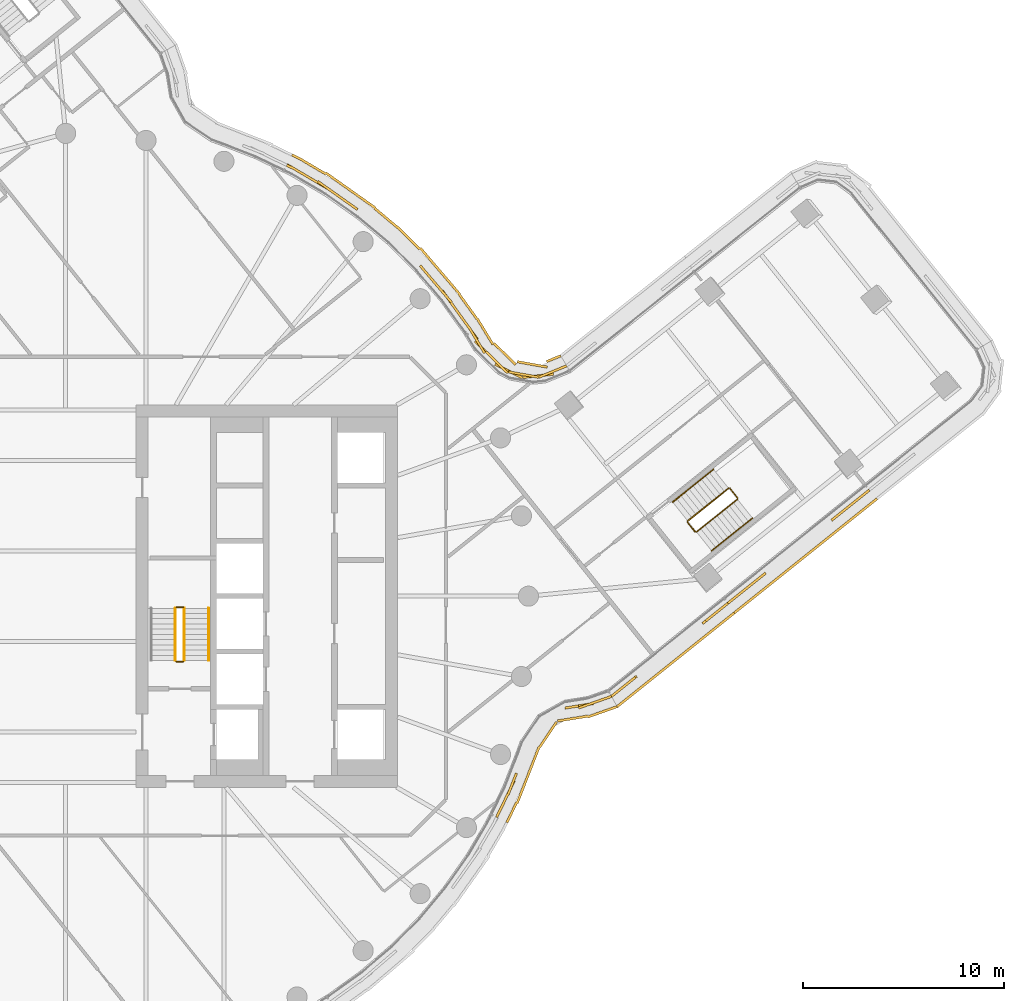
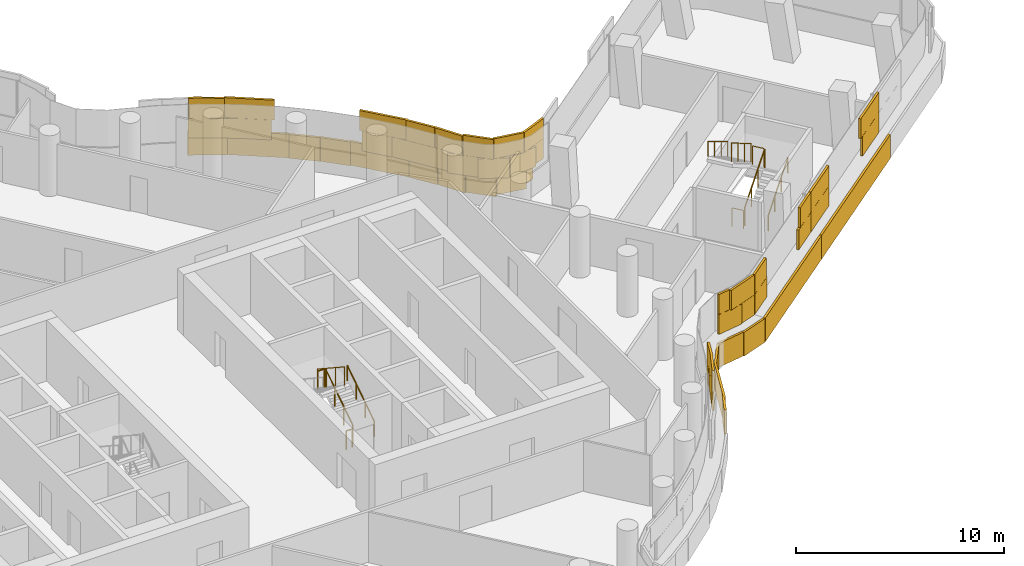
# One storey, part 29 of 31: 11 railings, 4 coverings.
"""IFC4 building model written with IfcOpenShell, lengths in metres."""

import ifcopenshell
import ifcopenshell.guid

model = None  # the IFC model being written
_history = None  # IfcOwnerHistory: only IFC2X3 demands one
_inside = {}  # id of a spatial element -> (the spatial element, [elements in it])
_under = {}  # id of a project, library or spatial element -> (it, [spatial elements below it])
_declared = {}  # id of a project -> (the project, [libraries it declares])
_typed = {}  # id of a type object -> (the type object, [elements of that type])
_made_of = {}  # id of a material, layer set ... -> (it, [elements and type objects made of it])


def new_model(schema):
    """Start an empty IFC model of exactly this schema.

    Asked for "IFC4X3", IfcOpenShell would pick the latest addendum, in which some entities
    have other attributes; the version numbers below select the first issue.
    IFC2X3 requires an IfcOwnerHistory on every rooted entity: one is made here for all.
    """
    global model, _history
    if schema == "IFC4X3":
        model = ifcopenshell.file(schema_version=(4, 3, 0, 0))
    else:
        model = ifcopenshell.file(schema=schema)
    _inside.clear()
    _under.clear()
    _declared.clear()
    _typed.clear()
    _made_of.clear()
    _history = None
    if model.schema == "IFC2X3":
        org = make("IfcOrganization", Name="unknown")
        user = make(
            "IfcPersonAndOrganization",
            ThePerson=make("IfcPerson", FamilyName="unknown"),
            TheOrganization=org,
        )
        app = make(
            "IfcApplication",
            ApplicationDeveloper=org,
            Version="unknown",
            ApplicationFullName="unknown",
            ApplicationIdentifier="unknown",
        )
        _history = make(
            "IfcOwnerHistory",
            OwningUser=user,
            OwningApplication=app,
            ChangeAction="ADDED",
            CreationDate=0,
        )
    return model


def make(cls, **values):
    """One entity of the class cls with the attributes given. An attribute that is None is left unset."""
    return model.create_entity(
        cls, **{name: value for name, value in values.items() if value is not None}
    )


def rooted(cls, **values):
    """An entity with a GlobalId (a new one), such as an element, a storey or a relation."""
    return make(cls, GlobalId=ifcopenshell.guid.new(), OwnerHistory=_history, **values)


def si_unit(unit_type, name, prefix=None):
    """IfcSIUnit, for example si_unit("LENGTHUNIT", "METRE", prefix="MILLI")."""
    return make("IfcSIUnit", UnitType=unit_type, Prefix=prefix, Name=name)


def assignment(units):
    """IfcUnitAssignment: the units of a project."""
    return None if units is None else make("IfcUnitAssignment", Units=units)


def point(xyz):
    """IfcCartesianPoint."""
    return None if xyz is None else make("IfcCartesianPoint", Coordinates=xyz)


def direction(xyz):
    """IfcDirection."""
    return None if xyz is None else make("IfcDirection", DirectionRatios=xyz)


def frame(location, z_axis=None, x_axis=None):
    """IfcAxis2Placement3D, a coordinate frame: its origin and axes. An axis left out is left unset."""
    return make(
        "IfcAxis2Placement3D",
        Location=point(location),
        Axis=direction(z_axis),
        RefDirection=direction(x_axis),
    )


def frame_2d(location, x_axis=None):
    """IfcAxis2Placement2D, a coordinate frame in the plane: its origin and x axis."""
    return make(
        "IfcAxis2Placement2D", Location=point(location), RefDirection=direction(x_axis)
    )


def origin():
    """The frame at (0, 0, 0) with its axes left unset."""
    return frame((0.0, 0.0, 0.0))


def origin_2d():
    """The frame at (0, 0) in the plane with its x axis left unset."""
    return frame_2d((0.0, 0.0))


def place(relative_to, where):
    """IfcLocalPlacement: puts the frame where relative to a parent placement (None: the world)."""
    return make(
        "IfcLocalPlacement", PlacementRelTo=relative_to, RelativePlacement=where
    )


def context(
    kind, dimensions, precision=None, world=None, true_north=None, identifier=None
):
    """IfcGeometricRepresentationContext, for example the 3D "Model" context."""
    return make(
        "IfcGeometricRepresentationContext",
        ContextIdentifier=identifier,
        ContextType=kind,
        CoordinateSpaceDimension=dimensions,
        Precision=precision,
        WorldCoordinateSystem=world,
        TrueNorth=true_north,
    )


def subcontext(parent, identifier, kind, view, scale=None):
    """IfcGeometricRepresentationSubContext, for example "Body" below "Model"."""
    return make(
        "IfcGeometricRepresentationSubContext",
        ContextIdentifier=identifier,
        ContextType=kind,
        ParentContext=parent,
        TargetScale=scale,
        TargetView=view,
    )


def project(units=None, contexts=None):
    """IfcProject with its units and contexts."""
    return rooted(
        "IfcProject",
        Name="project",
        RepresentationContexts=contexts,
        UnitsInContext=assignment(units),
    )


def spatial(cls, under=None, at=None, **own):
    """A site, building, storey or space (cls), placed at a placement, below another one or the project."""
    s = rooted(cls, ObjectPlacement=at, **own)
    if under is not None:
        _under.setdefault(under.id(), (under, []))[1].append(s)
    return s


def profile(cls, at=None, kind="AREA", **sizes):
    """A parametric profile (cls). Its sizes go by their IFC names, for example OverallWidth=200.0."""
    return make(cls, ProfileType=kind, Position=at, **sizes)


def rectangle(**sizes):
    """IfcRectangleProfileDef."""
    return profile("IfcRectangleProfileDef", **sizes)


def circle(**sizes):
    """IfcCircleProfileDef."""
    return profile("IfcCircleProfileDef", **sizes)


def extrude(swept, where, along, depth):
    """IfcExtrudedAreaSolid: the profile swept, set in the frame where, extruded along a direction by depth."""
    return make(
        "IfcExtrudedAreaSolid",
        SweptArea=swept,
        Position=where,
        ExtrudedDirection=direction(along),
        Depth=depth,
    )


def shape(context_of_items, identifier, shape_type, items):
    """IfcShapeRepresentation: the items that make up one representation, for example the "Body"."""
    return make(
        "IfcShapeRepresentation",
        ContextOfItems=context_of_items,
        RepresentationIdentifier=identifier,
        RepresentationType=shape_type,
        Items=items,
    )


def material(Name=None, Category=None):
    """IfcMaterial."""
    return make("IfcMaterial", Name=Name, Category=Category)


def layer(
    of_material, thickness, ventilated=None, Name=None, Category=None, Priority=None
):
    """IfcMaterialLayer: one layer of a wall or slab, of a material (None: an air gap)."""
    return make(
        "IfcMaterialLayer",
        Material=of_material,
        LayerThickness=thickness,
        IsVentilated=ventilated,
        Name=Name,
        Category=Category,
        Priority=Priority,
    )


def layer_set(layers, Name=None):
    """IfcMaterialLayerSet."""
    return make("IfcMaterialLayerSet", MaterialLayers=layers, LayerSetName=Name)


def made_of(thing, what):
    """Note that an element or type object is made of a material, layer set ...; save() writes the relation."""
    if what is not None:
        _made_of.setdefault(what.id(), (what, []))[1].append(thing)
    return thing


def type_object(cls, material=None, **own):
    """A type object (cls), such as IfcWallType, which elements share."""
    return made_of(rooted(cls, **own), material)


def element(
    cls,
    number,
    at=None,
    inside=None,
    cuts=None,
    type_object=None,
    material=None,
    context=None,
    identifier="Body",
    shape_type=None,
    held_by="IfcProductDefinitionShape",
    body=None,
    shapes=None,
    **own,
):
    """One element of the class cls, such as IfcWall. Its Tag is "e" and its number.

    at: its placement. inside: the storey or other place that contains it. cuts: it is an
    opening in that element (IfcRelVoidsElement). A single representation is given by context,
    identifier, shape_type and body (its items); several are given by shapes. held_by: the class
    of the entity that holds the representations. save() writes the other relations.
    """
    e = rooted(cls, Tag="e%d" % number, ObjectPlacement=at, **own)
    if body is not None:
        shapes = [shape(context, identifier, shape_type, body)]
    if shapes is not None:
        e.Representation = make(held_by, Representations=shapes)
    if inside is not None:
        _inside.setdefault(inside.id(), (inside, []))[1].append(e)
    if cuts is not None:
        rooted(
            "IfcRelVoidsElement", RelatingBuildingElement=cuts, RelatedOpeningElement=e
        )
    if type_object is not None:
        _typed.setdefault(type_object.id(), (type_object, []))[1].append(e)
    return made_of(e, material)


def aggregate(whole, parts):
    """IfcRelAggregates: a whole, such as a stair, and the parts it consists of."""
    return rooted("IfcRelAggregates", RelatingObject=whole, RelatedObjects=parts)


def save(model, path):
    """Write the relations noted so far, then the file.

    IfcRelAggregates (storeys below a building ...), IfcRelContainedInSpatialStructure (elements
    in a storey), IfcRelDefinesByType, IfcRelAssociatesMaterial and IfcRelDeclares: one each for
    every whole, place, type object, material and project.
    """
    for whole, parts in _under.values():
        aggregate(whole, parts)
    for where, things in _inside.values():
        rooted(
            "IfcRelContainedInSpatialStructure",
            RelatedElements=things,
            RelatingStructure=where,
        )
    for kind, things in _typed.values():
        rooted("IfcRelDefinesByType", RelatedObjects=things, RelatingType=kind)
    for what, things in _made_of.values():
        rooted("IfcRelAssociatesMaterial", RelatedObjects=things, RelatingMaterial=what)
    for by, libraries in _declared.values():
        rooted("IfcRelDeclares", RelatingContext=by, RelatedDefinitions=libraries)
    model.write(path)


model = new_model("IFC4")

# Units and contexts
model_context = context("Model", 3, precision=1e-05, world=origin(), true_north=direction((0.0, 1.0)))
body_context = subcontext(model_context, "Body", "Model", "MODEL_VIEW")
ifc_project = project(units=[si_unit("LENGTHUNIT", "METRE"), si_unit("AREAUNIT", "SQUARE_METRE"), si_unit("VOLUMEUNIT", "CUBIC_METRE"), si_unit("PLANEANGLEUNIT", "RADIAN"), si_unit("MASSUNIT", "GRAM", prefix="KILO")], contexts=[model_context])

# Site, building, storey
site_placement = place(None, origin())
site = spatial("IfcSite", under=ifc_project, at=site_placement, CompositionType="ELEMENT")
building_placement = place(site_placement, origin())
building = spatial("IfcBuilding", under=site, at=building_placement, Name="Tamarind Cross Interchange Tower", CompositionType="ELEMENT")
storey_placement = place(building_placement, frame((0.0, 0.0, 174.25)))
storey = spatial("IfcBuildingStorey", under=building, at=storey_placement, Name="L43", CompositionType="ELEMENT", Elevation=174.25)

# Railings
ifc_material_1 = material(Name="Stair guard")
railing_type_1 = type_object("IfcRailingType", Name="Stair guard", PredefinedType="GUARDRAIL", material=ifc_material_1)
railing_1_placement = place(storey_placement, frame((5.89990234375, -3.199951171875, 0.17041015625)))
element("IfcRailing", 1, at=railing_1_placement, inside=storey, type_object=railing_type_1, Name="L43 ST2 stair guard 1", PredefinedType="GUARDRAIL", context=body_context, shape_type="SweptSolid", body=[
    extrude(circle(Radius=0.02392578125, at=origin_2d()), frame((0.0, 0.0, 1.076171875), z_axis=(0.0, 0.836278606002, 0.548304744775), x_axis=(-1.0, 0.0, 0.0)), (0.0, 0.0, 1.0), 3.10888671875),
    extrude(circle(Radius=0.02099609375, at=origin_2d()), origin(), (0.0, 0.0, 1.0), 1.052001953125),
    extrude(circle(Radius=0.02099609375, at=origin_2d()), frame((0.0, 0.86669921875, 0.568115234375)), (0.0, 0.0, 1.0), 1.052001953125),
    extrude(circle(Radius=0.02099609375, at=origin_2d()), frame((0.0, 1.733154296875, 1.136474609375)), (0.0, 0.0, 1.0), 1.052001953125),
    extrude(circle(Radius=0.02099609375, at=origin_2d()), frame((0.0, 2.599853515625, 1.70458984375)), (0.0, 0.0, 1.0), 1.052001953125),
])
railing_2_placement = place(storey_placement, frame((5.85009765625, -0.550048828125, 1.875)))
element("IfcRailing", 2, at=railing_2_placement, inside=storey, type_object=railing_type_1, Name="L43 ST2 stair guard 2", PredefinedType="GUARDRAIL", context=body_context, shape_type="SweptSolid", body=[
    extrude(circle(Radius=0.02392578125, at=origin_2d()), frame((0.0, 0.0, 1.076171875), z_axis=(-1.0, 0.0, 0.0), x_axis=(0.0, -1.0, 0.0)), (0.0, 0.0, 1.0), 0.35009765625),
    extrude(circle(Radius=0.02099609375, at=origin_2d()), origin(), (0.0, 0.0, 1.0), 1.052001953125),
    extrude(circle(Radius=0.02099609375, at=origin_2d()), frame((-0.35009765625, 0.0, 0.0)), (0.0, 0.0, 1.0), 1.052001953125),
])
railing_3_placement = place(storey_placement, frame((5.449951171875, -0.60009765625, 2.04541015625)))
element("IfcRailing", 3, at=railing_3_placement, inside=storey, type_object=railing_type_1, Name="L43 ST2 stair guard 3", PredefinedType="GUARDRAIL", context=body_context, shape_type="SweptSolid", body=[
    extrude(circle(Radius=0.02392578125, at=origin_2d()), frame((0.0, 0.0, 1.076171875), z_axis=(0.0, -0.836278606002, 0.548304744775), x_axis=(1.0, 0.0, 0.0)), (0.0, 0.0, 1.0), 3.10888671875),
    extrude(circle(Radius=0.02099609375, at=origin_2d()), origin(), (0.0, 0.0, 1.0), 1.052001953125),
    extrude(circle(Radius=0.02099609375, at=origin_2d()), frame((0.0, -0.86669921875, 0.568115234375)), (0.0, 0.0, 1.0), 1.052001953125),
    extrude(circle(Radius=0.02099609375, at=origin_2d()), frame((0.0, -1.733154296875, 1.136474609375)), (0.0, 0.0, 1.0), 1.052001953125),
    extrude(circle(Radius=0.02099609375, at=origin_2d()), frame((0.0, -2.599853515625, 1.70458984375)), (0.0, 0.0, 1.0), 1.052001953125),
])
railing_4_placement = place(storey_placement, frame((5.85009765625, -3.25, 0.0)))
element("IfcRailing", 4, at=railing_4_placement, inside=storey, type_object=railing_type_1, Name="L43 ST2 stair guard 4", PredefinedType="GUARDRAIL", context=body_context, shape_type="SweptSolid", body=[
    extrude(circle(Radius=0.02392578125, at=origin_2d()), frame((0.0, 0.0, 1.076171875), z_axis=(-1.0, 0.0, 0.0), x_axis=(0.0, -1.0, 0.0)), (0.0, 0.0, 1.0), 0.35009765625),
    extrude(circle(Radius=0.02099609375, at=origin_2d()), origin(), (0.0, 0.0, 1.0), 1.052001953125),
    extrude(circle(Radius=0.02099609375, at=origin_2d()), frame((-0.35009765625, 0.0, 0.0)), (0.0, 0.0, 1.0), 1.052001953125),
])
railing_5_placement = place(storey_placement, frame((31.35498046875, 3.193359375, 0.17041015625)))
element("IfcRailing", 5, at=railing_5_placement, inside=storey, type_object=railing_type_1, Name="L43 ST3 stair guard 1", PredefinedType="GUARDRAIL", context=body_context, shape_type="SweptSolid", body=[
    extrude(circle(Radius=0.02392578125, at=origin_2d()), frame((0.0, 0.0, 1.076171875), z_axis=(0.653030987341, 0.522440495283, 0.548275896298), x_axis=(-0.62470649852, 0.780859648533, 0.0)), (0.0, 0.0, 1.0), 3.10888671875),
    extrude(circle(Radius=0.02099609375, at=origin_2d()), origin(), (0.0, 0.0, 1.0), 1.052001953125),
    extrude(circle(Radius=0.02099609375, at=origin_2d()), frame((0.6767578125, 0.54150390625, 0.568115234375)), (0.0, 0.0, 1.0), 1.052001953125),
    extrude(circle(Radius=0.02099609375, at=origin_2d()), frame((1.353515625, 1.082763671875, 1.136474609375)), (0.0, 0.0, 1.0), 1.052001953125),
    extrude(circle(Radius=0.02099609375, at=origin_2d()), frame((2.0302734375, 1.624267578125, 1.70458984375)), (0.0, 0.0, 1.0), 1.052001953125),
])
railing_6_placement = place(storey_placement, frame((33.39306640625, 4.8876953125, 1.875)))
element("IfcRailing", 6, at=railing_6_placement, inside=storey, type_object=railing_type_1, Name="L43 ST3 stair guard 2", PredefinedType="GUARDRAIL", context=body_context, shape_type="SweptSolid", body=[
    extrude(circle(Radius=0.02392578125, at=origin_2d()), frame((0.0, 0.0, 1.076171875), z_axis=(-0.624446963695, 0.781067211918, 0.0), x_axis=(-0.781067211918, -0.624446963695, 0.0)), (0.0, 0.0, 1.0), 0.60009765625),
    extrude(circle(Radius=0.02099609375, at=origin_2d()), origin(), (0.0, 0.0, 1.0), 1.052001953125),
    extrude(circle(Radius=0.02099609375, at=origin_2d()), frame((-0.374755859375, 0.46875, 0.0)), (0.0, 0.0, 1.0), 1.052001953125),
])
railing_7_placement = place(storey_placement, frame((32.947998046875, 5.3642578125, 2.04541015625)))
element("IfcRailing", 7, at=railing_7_placement, inside=storey, type_object=railing_type_1, Name="L43 ST3 stair guard 3", PredefinedType="GUARDRAIL", context=body_context, shape_type="SweptSolid", body=[
    extrude(circle(Radius=0.02392578125, at=origin_2d()), frame((0.0, 0.0, 1.076171875), z_axis=(-0.653030987341, -0.522440495283, 0.548275896298), x_axis=(0.62470649852, -0.780859648533, 0.0)), (0.0, 0.0, 1.0), 3.10888671875),
    extrude(circle(Radius=0.02099609375, at=origin_2d()), origin(), (0.0, 0.0, 1.0), 1.052001953125),
    extrude(circle(Radius=0.02099609375, at=origin_2d()), frame((-0.6767578125, -0.54150390625, 0.568115234375)), (0.0, 0.0, 1.0), 1.052001953125),
    extrude(circle(Radius=0.02099609375, at=origin_2d()), frame((-1.353515625, -1.082763671875, 1.136474609375)), (0.0, 0.0, 1.0), 1.052001953125),
    extrude(circle(Radius=0.02099609375, at=origin_2d()), frame((-2.0302734375, -1.624267578125, 1.70458984375)), (0.0, 0.0, 1.0), 1.052001953125),
])
railing_8_placement = place(storey_placement, frame((31.28466796875, 3.201171875, 0.0)))
element("IfcRailing", 8, at=railing_8_placement, inside=storey, type_object=railing_type_1, Name="L43 ST3 stair guard 4", PredefinedType="GUARDRAIL", context=body_context, shape_type="SweptSolid", body=[
    extrude(circle(Radius=0.02392578125, at=origin_2d()), frame((0.0, 0.0, 1.076171875), z_axis=(-0.624645420058, 0.780908508854, 0.0), x_axis=(-0.780908508854, -0.624645420058, 0.0)), (0.0, 0.0, 1.0), 0.599853515625),
    extrude(circle(Radius=0.02099609375, at=origin_2d()), origin(), (0.0, 0.0, 1.0), 1.052001953125),
    extrude(circle(Radius=0.02099609375, at=origin_2d()), frame((-0.374755859375, 0.468505859375, 0.0)), (0.0, 0.0, 1.0), 1.052001953125),
])
ifc_material_2 = material(Name="Stair handrail")
railing_type_2 = type_object("IfcRailingType", Name="Stair handrail", PredefinedType="HANDRAIL", material=ifc_material_2)
railing_9_placement = place(storey_placement, frame((7.10009765625, -3.199951171875, 0.17041015625)))
element("IfcRailing", 9, at=railing_9_placement, inside=storey, type_object=railing_type_2, Name="L43 ST2 stair handrail 1", PredefinedType="HANDRAIL", context=body_context, shape_type="SweptSolid", body=[
    extrude(circle(Radius=0.02392578125, at=origin_2d()), frame((0.0, 0.0, 0.8759765625), z_axis=(0.0, 0.836278606002, 0.548304744775), x_axis=(-1.0, 0.0, 0.0)), (0.0, 0.0, 1.0), 3.10888671875),
    extrude(circle(Radius=0.02099609375, at=origin_2d()), origin(), (0.0, 0.0, 1.0), 0.851806640625),
    extrude(circle(Radius=0.02099609375, at=origin_2d()), frame((0.0, 0.86669921875, 0.568115234375)), (0.0, 0.0, 1.0), 0.851806640625),
    extrude(circle(Radius=0.02099609375, at=origin_2d()), frame((0.0, 1.733154296875, 1.136474609375)), (0.0, 0.0, 1.0), 0.851806640625),
    extrude(circle(Radius=0.02099609375, at=origin_2d()), frame((0.0, 2.599853515625, 1.70458984375)), (0.0, 0.0, 1.0), 0.851806640625),
])
railing_10_placement = place(storey_placement, frame((32.1044921875, 2.25634765625, 0.17041015625)))
element("IfcRailing", 10, at=railing_10_placement, inside=storey, type_object=railing_type_2, Name="L43 ST3 stair handrail 1", PredefinedType="HANDRAIL", context=body_context, shape_type="SweptSolid", body=[
    extrude(circle(Radius=0.02392578125, at=origin_2d()), frame((0.0, 0.0, 0.8759765625), z_axis=(0.653057778038, 0.522383398209, 0.548298389401), x_axis=(-0.624649239663, 0.780905453553, 0.0)), (0.0, 0.0, 1.0), 3.10888671875),
    extrude(circle(Radius=0.02099609375, at=origin_2d()), origin(), (0.0, 0.0, 1.0), 0.851806640625),
    extrude(circle(Radius=0.02099609375, at=origin_2d()), frame((0.6767578125, 0.541259765625, 0.568115234375)), (0.0, 0.0, 1.0), 0.851806640625),
    extrude(circle(Radius=0.02099609375, at=origin_2d()), frame((1.353515625, 1.082763671875, 1.136474609375)), (0.0, 0.0, 1.0), 0.851806640625),
    extrude(circle(Radius=0.02099609375, at=origin_2d()), frame((2.0302734375, 1.6240234375, 1.70458984375)), (0.0, 0.0, 1.0), 0.851806640625),
])
railing_11_placement = place(storey_placement, frame((32.198486328125, 6.30126953125, 2.04541015625)))
element("IfcRailing", 11, at=railing_11_placement, inside=storey, type_object=railing_type_2, Name="L43 ST3 stair handrail 2", PredefinedType="HANDRAIL", context=body_context, shape_type="SweptSolid", body=[
    extrude(circle(Radius=0.02392578125, at=origin_2d()), frame((0.0, 0.0, 0.8759765625), z_axis=(-0.65307602311, -0.522413704671, 0.548247780853), x_axis=(0.624660696371, -0.780896289151, 0.0)), (0.0, 0.0, 1.0), 3.109130859375),
    extrude(circle(Radius=0.02099609375, at=origin_2d()), origin(), (0.0, 0.0, 1.0), 0.851806640625),
    extrude(circle(Radius=0.02099609375, at=origin_2d()), frame((-0.6767578125, -0.54150390625, 0.568115234375)), (0.0, 0.0, 1.0), 0.851806640625),
    extrude(circle(Radius=0.02099609375, at=origin_2d()), frame((-1.353759765625, -1.082763671875, 1.136474609375)), (0.0, 0.0, 1.0), 0.851806640625),
    extrude(circle(Radius=0.02099609375, at=origin_2d()), frame((-2.030517578125, -1.624267578125, 1.70458984375)), (0.0, 0.0, 1.0), 0.851806640625),
])

# Coverings
ifc_material_3 = material(Name="Terracotta", Category="masonry")
ifc_layer = layer(ifc_material_3, 0.1201171875)
ifc_layer_set = layer_set([ifc_layer], Name="Terracotta")
covering_type = type_object("IfcCoveringType", Name="Terracotta baguette screen unit", PredefinedType="MOLDING", material=ifc_layer_set)
covering_1_placement = place(storey_placement, origin())
element("IfcCovering", 12, at=covering_1_placement, inside=storey, type_object=covering_type, Name="SCR-L43-06-01", PredefinedType="MOLDING", context=body_context, shape_type="SweptSolid", body=[
    extrude(rectangle(XDim=0.516845703125, YDim=0.1201171875, at=origin_2d()), frame((21.52978515625, -10.7568359375, 1.404052734375), z_axis=(0.0, 0.0, 1.0), x_axis=(0.435326231914, 0.900272776334, 0.0)), (0.0, 0.0, 1.0), 1.1669921875),
    extrude(rectangle(XDim=1.52001953125, YDim=0.1201171875, at=origin_2d()), frame((21.966796875, -9.853271484375, 1.404052734375), z_axis=(0.0, 0.0, 1.0), x_axis=(0.435326231914, 0.900272776334, 0.0)), (0.0, 0.0, 1.0), 1.1669921875),
    extrude(rectangle(XDim=0.392578125, YDim=0.1201171875, at=origin_2d()), frame((22.33056640625, -8.98583984375, 1.404052734375), z_axis=(0.0, 0.0, 1.0), x_axis=(0.363507970569, 0.931591088049, 0.0)), (0.0, 0.0, 1.0), 1.1669921875),
    extrude(rectangle(XDim=1.42724609375, YDim=0.1201171875, at=origin_2d()), frame((25.518310546875, -5.44921875, 1.404052734375), z_axis=(0.0, 0.0, 1.0), x_axis=(0.987441445984, 0.157985413104, 0.0)), (0.0, 0.0, 1.0), 1.1669921875),
    extrude(rectangle(XDim=0.982177734375, YDim=0.1201171875, at=origin_2d()), frame((26.667724609375, -5.140869140625, 1.404052734375), z_axis=(0.0, 0.0, 1.0), x_axis=(0.942751684499, 0.333495519273, 0.0)), (0.0, 0.0, 1.0), 1.1669921875),
    extrude(rectangle(XDim=1.266845703125, YDim=0.1201171875, at=origin_2d()), frame((21.693115234375, -10.419189453125, 2.5791015625), z_axis=(0.0, 0.0, 1.0), x_axis=(0.435326231914, 0.900272776334, 0.0)), (0.0, 0.0, 1.0), 1.1669921875),
    extrude(rectangle(XDim=1.142578125, YDim=0.1201171875, at=origin_2d()), frame((22.1943359375, -9.335205078125, 2.5791015625), z_axis=(0.0, 0.0, 1.0), x_axis=(0.363507970569, 0.931591088049, 0.0)), (0.0, 0.0, 1.0), 1.1669921875),
    extrude(rectangle(XDim=0.67724609375, YDim=0.1201171875, at=origin_2d()), frame((25.14794921875, -5.508544921875, 2.5791015625), z_axis=(0.0, 0.0, 1.0), x_axis=(0.987441445984, 0.157985413104, 0.0)), (0.0, 0.0, 1.0), 1.1669921875),
    extrude(rectangle(XDim=1.52001953125, YDim=0.1201171875, at=origin_2d()), frame((26.20947265625, -5.30322265625, 2.5791015625), z_axis=(0.0, 0.0, 1.0), x_axis=(0.942751684499, 0.333495519273, 0.0)), (0.0, 0.0, 1.0), 1.1669921875),
    extrude(rectangle(XDim=0.232177734375, YDim=0.1201171875, at=origin_2d()), frame((27.021240234375, -5.015869140625, 2.5791015625), z_axis=(0.0, 0.0, 1.0), x_axis=(0.942751684499, 0.333495519273, 0.0)), (0.0, 0.0, 1.0), 1.1669921875),
    extrude(rectangle(XDim=1.099853515625, YDim=0.1201171875, at=origin_2d()), frame((22.169677734375, -10.752197265625, 0.00390625), z_axis=(0.0, 0.0, 1.0), x_axis=(0.435326231914, 0.900272776334, 0.0)), (0.0, 0.0, 1.0), 1.39208984375),
    extrude(rectangle(XDim=1.52001953125, YDim=0.1201171875, at=origin_2d()), frame((22.7138671875, -9.583251953125, 0.00390625), z_axis=(0.0, 0.0, 1.0), x_axis=(0.363507970569, 0.931591088049, 0.0)), (0.0, 0.0, 1.0), 1.39208984375),
    extrude(rectangle(XDim=1.52001953125, YDim=0.1201171875, at=origin_2d()), frame((23.259033203125, -8.185791015625, 0.00390625), z_axis=(0.0, 0.0, 1.0), x_axis=(0.363507970569, 0.931591088049, 0.0)), (0.0, 0.0, 1.0), 1.39208984375),
    extrude(rectangle(XDim=1.52001953125, YDim=0.1201171875, at=origin_2d()), frame((23.975341796875, -6.87939453125, 0.00390625), z_axis=(0.0, 0.0, 1.0), x_axis=(0.558129030036, 0.829754171927, 0.0)), (0.0, 0.0, 1.0), 1.39208984375),
    extrude(rectangle(XDim=1.52001953125, YDim=0.1201171875, at=origin_2d()), frame((25.201904296875, -6.0810546875, 0.00390625), z_axis=(0.0, 0.0, 1.0), x_axis=(0.987441445984, 0.157985413104, 0.0)), (0.0, 0.0, 1.0), 1.39208984375),
    extrude(rectangle(XDim=1.52001953125, YDim=0.1201171875, at=origin_2d()), frame((26.659912109375, -5.752685546875, 0.00390625), z_axis=(0.0, 0.0, 1.0), x_axis=(0.942751684499, 0.333495519273, 0.0)), (0.0, 0.0, 1.0), 1.39208984375),
    extrude(rectangle(XDim=0.054443359375, YDim=0.1201171875, at=origin_2d()), frame((27.383056640625, -5.496826171875, 0.00390625), z_axis=(0.0, 0.0, 1.0), x_axis=(0.942751684499, 0.333495519273, 0.0)), (0.0, 0.0, 1.0), 1.39208984375),
])
covering_2_placement = place(storey_placement, origin())
element("IfcCovering", 13, at=covering_2_placement, inside=storey, type_object=covering_type, Name="SCR-L43-07-00", PredefinedType="MOLDING", context=body_context, shape_type="SweptSolid", body=[
    extrude(rectangle(XDim=0.760009765625, YDim=0.1201171875, at=origin_2d()), frame((27.4189453125, -4.74462890625, 1.404052734375), z_axis=(0.0, 0.0, 1.0), x_axis=(0.780892885425, 0.624664951388, 0.0)), (0.0, 0.0, 1.0), 1.1669921875),
    extrude(rectangle(XDim=0.8603515625, YDim=0.1201171875, at=origin_2d()), frame((28.043701171875, -4.244873046875, 1.404052734375), z_axis=(0.0, 0.0, 1.0), x_axis=(0.780892885425, 0.624664951388, 0.0)), (0.0, 0.0, 1.0), 1.1669921875),
    extrude(rectangle(XDim=0.959716796875, YDim=0.1201171875, at=origin_2d()), frame((32.0263671875, -1.05908203125, 1.404052734375), z_axis=(0.0, 0.0, 1.0), x_axis=(0.780892885425, 0.624664951388, 0.0)), (0.0, 0.0, 1.0), 1.1669921875),
    extrude(rectangle(XDim=0.66064453125, YDim=0.1201171875, at=origin_2d()), frame((32.651123046875, -0.55908203125, 1.404052734375), z_axis=(0.0, 0.0, 1.0), x_axis=(0.780892885425, 0.624664951388, 0.0)), (0.0, 0.0, 1.0), 1.1669921875),
    extrude(rectangle(XDim=1.510009765625, YDim=0.1201171875, at=origin_2d()), frame((27.711669921875, -4.51025390625, 2.5791015625), z_axis=(0.0, 0.0, 1.0), x_axis=(0.780892885425, 0.624664951388, 0.0)), (0.0, 0.0, 1.0), 1.1669921875),
    extrude(rectangle(XDim=1.41064453125, YDim=0.1201171875, at=origin_2d()), frame((32.3583984375, -0.79345703125, 2.5791015625), z_axis=(0.0, 0.0, 1.0), x_axis=(0.780892885425, 0.624664951388, 0.0)), (0.0, 0.0, 1.0), 1.1669921875),
    extrude(rectangle(XDim=0.760009765625, YDim=0.1201171875, at=origin_2d()), frame((27.70556640625, -5.250244140625, 0.00390625), z_axis=(0.0, 0.0, 1.0), x_axis=(0.780892885425, 0.624664951388, 0.0)), (0.0, 0.0, 1.0), 1.39208984375),
    extrude(rectangle(XDim=1.52001953125, YDim=0.1201171875, at=origin_2d()), frame((28.580078125, -4.55078125, 0.00390625), z_axis=(0.0, 0.0, 1.0), x_axis=(0.780892885425, 0.624664951388, 0.0)), (0.0, 0.0, 1.0), 1.39208984375),
    extrude(rectangle(XDim=1.52001953125, YDim=0.1201171875, at=origin_2d()), frame((29.75146484375, -3.61376953125, 0.00390625), z_axis=(0.0, 0.0, 1.0), x_axis=(0.780892885425, 0.624664951388, 0.0)), (0.0, 0.0, 1.0), 1.39208984375),
    extrude(rectangle(XDim=1.52001953125, YDim=0.1201171875, at=origin_2d()), frame((30.9228515625, -2.6767578125, 0.00390625), z_axis=(0.0, 0.0, 1.0), x_axis=(0.780892885425, 0.624664951388, 0.0)), (0.0, 0.0, 1.0), 1.39208984375),
    extrude(rectangle(XDim=1.52001953125, YDim=0.1201171875, at=origin_2d()), frame((32.09423828125, -1.73974609375, 0.00390625), z_axis=(0.0, 0.0, 1.0), x_axis=(0.780892885425, 0.624664951388, 0.0)), (0.0, 0.0, 1.0), 1.39208984375),
    extrude(rectangle(XDim=0.7158203125, YDim=0.1201171875, at=origin_2d()), frame((32.95166015625, -1.0537109375, 0.00390625), z_axis=(0.0, 0.0, 1.0), x_axis=(0.780892885425, 0.624664951388, 0.0)), (0.0, 0.0, 1.0), 1.39208984375),
])
covering_3_placement = place(storey_placement, origin())
element("IfcCovering", 14, at=covering_3_placement, inside=storey, type_object=covering_type, Name="SCR-L43-07-01", PredefinedType="MOLDING", context=body_context, shape_type="SweptSolid", body=[
    extrude(rectangle(XDim=0.859130859375, YDim=0.1201171875, at=origin_2d()), frame((33.23681640625, -0.090576171875, 1.404052734375), z_axis=(0.0, 0.0, 1.0), x_axis=(0.780892885425, 0.624664951388, 0.0)), (0.0, 0.0, 1.0), 1.1669921875),
    extrude(rectangle(XDim=1.52001953125, YDim=0.1201171875, at=origin_2d()), frame((34.154052734375, 0.64306640625, 1.404052734375), z_axis=(0.0, 0.0, 1.0), x_axis=(0.780892885425, 0.624664951388, 0.0)), (0.0, 0.0, 1.0), 1.1669921875),
    extrude(rectangle(XDim=1.52001953125, YDim=0.1201171875, at=origin_2d()), frame((38.83935546875, 4.39111328125, 1.404052734375), z_axis=(0.0, 0.0, 1.0), x_axis=(0.780892885425, 0.624664951388, 0.0)), (0.0, 0.0, 1.0), 1.1669921875),
    extrude(rectangle(XDim=0.67138671875, YDim=0.1201171875, at=origin_2d()), frame((39.683349609375, 5.066162109375, 1.404052734375), z_axis=(0.0, 0.0, 1.0), x_axis=(0.780892885425, 0.624664951388, 0.0)), (0.0, 0.0, 1.0), 1.1669921875),
    extrude(rectangle(XDim=0.109130859375, YDim=0.1201171875, at=origin_2d()), frame((32.94384765625, -0.324951171875, 2.5791015625), z_axis=(0.0, 0.0, 1.0), x_axis=(0.780892885425, 0.624664951388, 0.0)), (0.0, 0.0, 1.0), 1.1669921875),
    extrude(rectangle(XDim=1.52001953125, YDim=0.1201171875, at=origin_2d()), frame((33.568359375, 0.174560546875, 2.5791015625), z_axis=(0.0, 0.0, 1.0), x_axis=(0.780892885425, 0.624664951388, 0.0)), (0.0, 0.0, 1.0), 1.1669921875),
    extrude(rectangle(XDim=0.81591796875, YDim=0.1201171875, at=origin_2d()), frame((34.46875, 0.894775390625, 2.5791015625), z_axis=(0.0, 0.0, 1.0), x_axis=(0.780892885425, 0.624664951388, 0.0)), (0.0, 0.0, 1.0), 1.1669921875),
    extrude(rectangle(XDim=1.00390625, YDim=0.1201171875, at=origin_2d()), frame((38.451416015625, 4.08056640625, 2.5791015625), z_axis=(0.0, 0.0, 1.0), x_axis=(0.780892885425, 0.624664951388, 0.0)), (0.0, 0.0, 1.0), 1.1669921875),
    extrude(rectangle(XDim=1.42138671875, YDim=0.1201171875, at=origin_2d()), frame((39.390380859375, 4.831787109375, 2.5791015625), z_axis=(0.0, 0.0, 1.0), x_axis=(0.780892885425, 0.624664951388, 0.0)), (0.0, 0.0, 1.0), 1.1669921875),
    extrude(rectangle(XDim=0.80419921875, YDim=0.1201171875, at=origin_2d()), frame((33.545166015625, -0.5791015625, 0.00390625), z_axis=(0.0, 0.0, 1.0), x_axis=(0.780892885425, 0.624664951388, 0.0)), (0.0, 0.0, 1.0), 1.39208984375),
    extrude(rectangle(XDim=1.52001953125, YDim=0.1201171875, at=origin_2d()), frame((34.436767578125, 0.13427734375, 0.00390625), z_axis=(0.0, 0.0, 1.0), x_axis=(0.780892885425, 0.624664951388, 0.0)), (0.0, 0.0, 1.0), 1.39208984375),
    extrude(rectangle(XDim=1.52001953125, YDim=0.1201171875, at=origin_2d()), frame((35.608154296875, 1.0712890625, 0.00390625), z_axis=(0.0, 0.0, 1.0), x_axis=(0.780892885425, 0.624664951388, 0.0)), (0.0, 0.0, 1.0), 1.39208984375),
    extrude(rectangle(XDim=1.52001953125, YDim=0.1201171875, at=origin_2d()), frame((36.779541015625, 2.00830078125, 0.00390625), z_axis=(0.0, 0.0, 1.0), x_axis=(0.780892885425, 0.624664951388, 0.0)), (0.0, 0.0, 1.0), 1.39208984375),
    extrude(rectangle(XDim=1.52001953125, YDim=0.1201171875, at=origin_2d()), frame((37.950927734375, 2.9453125, 0.00390625), z_axis=(0.0, 0.0, 1.0), x_axis=(0.780892885425, 0.624664951388, 0.0)), (0.0, 0.0, 1.0), 1.39208984375),
    extrude(rectangle(XDim=1.52001953125, YDim=0.1201171875, at=origin_2d()), frame((39.122314453125, 3.88232421875, 0.00390625), z_axis=(0.0, 0.0, 1.0), x_axis=(0.780892885425, 0.624664951388, 0.0)), (0.0, 0.0, 1.0), 1.39208984375),
    extrude(rectangle(XDim=0.79345703125, YDim=0.1201171875, at=origin_2d()), frame((40.010009765625, 4.592529296875, 0.00390625), z_axis=(0.0, 0.0, 1.0), x_axis=(0.780892885425, 0.624664951388, 0.0)), (0.0, 0.0, 1.0), 1.39208984375),
])
covering_4_placement = place(storey_placement, origin())
element("IfcCovering", 15, at=covering_4_placement, inside=storey, type_object=covering_type, Name="SCR-L43-10-00", PredefinedType="MOLDING", context=body_context, shape_type="SweptSolid", body=[
    extrude(rectangle(XDim=0.760009765625, YDim=0.1201171875, at=origin_2d()), frame((24.551513671875, 11.306640625, 1.404052734375), z_axis=(0.0, 0.0, 1.0), x_axis=(-0.924903143472, -0.380202807979, 0.0)), (0.0, 0.0, 1.0), 1.1669921875),
    extrude(rectangle(XDim=1.52001953125, YDim=0.1201171875, at=origin_2d()), frame((23.4921875, 10.953125, 1.404052734375), z_axis=(0.0, 0.0, 1.0), x_axis=(-0.994458056603, -0.105134074673, 0.0)), (0.0, 0.0, 1.0), 1.1669921875),
    extrude(rectangle(XDim=1.52001953125, YDim=0.1201171875, at=origin_2d()), frame((22.028076171875, 11.19140625, 1.404052734375), z_axis=(0.0, 0.0, 1.0), x_axis=(-0.894249420941, 0.447568959097, 0.0)), (0.0, 0.0, 1.0), 1.1669921875),
    extrude(rectangle(XDim=1.52001953125, YDim=0.1201171875, at=origin_2d()), frame((20.890625, 12.14892578125, 1.404052734375), z_axis=(0.0, 0.0, 1.0), x_axis=(-0.714555229744, 0.699579033166, 0.0)), (0.0, 0.0, 1.0), 1.1669921875),
    extrude(rectangle(XDim=1.52001953125, YDim=0.1201171875, at=origin_2d()), frame((20.0302734375, 13.3671875, 1.404052734375), z_axis=(0.0, 0.0, 1.0), x_axis=(-0.584573890505, 0.811340475102, 0.0)), (0.0, 0.0, 1.0), 1.1669921875),
    extrude(rectangle(XDim=1.52001953125, YDim=0.1201171875, at=origin_2d()), frame((19.1533203125, 14.584228515625, 1.404052734375), z_axis=(0.0, 0.0, 1.0), x_axis=(-0.584573890505, 0.811340475102, 0.0)), (0.0, 0.0, 1.0), 1.1669921875),
    extrude(rectangle(XDim=1.52001953125, YDim=0.1201171875, at=origin_2d()), frame((18.202392578125, 15.742919921875, 1.404052734375), z_axis=(0.0, 0.0, 1.0), x_axis=(-0.64957723968, 0.760295606781, 0.0)), (0.0, 0.0, 1.0), 1.1669921875),
    extrude(rectangle(XDim=1.52001953125, YDim=0.1201171875, at=origin_2d()), frame((13.758056640625, 19.745849609375, 1.404052734375), z_axis=(0.0, 0.0, 1.0), x_axis=(-0.816341886298, 0.577568978284, 0.0)), (0.0, 0.0, 1.0), 1.1669921875),
    extrude(rectangle(XDim=1.52001953125, YDim=0.1201171875, at=origin_2d()), frame((12.5029296875, 20.565185546875, 1.404052734375), z_axis=(0.0, 0.0, 1.0), x_axis=(-0.861248933065, 0.508183308752, 0.0)), (0.0, 0.0, 1.0), 1.1669921875),
    extrude(rectangle(XDim=1.003173828125, YDim=0.1201171875, at=origin_2d()), frame((11.429443359375, 21.198486328125, 1.404052734375), z_axis=(0.0, 0.0, 1.0), x_axis=(-0.861248933065, 0.508183308752, 0.0)), (0.0, 0.0, 1.0), 1.1669921875),
    extrude(rectangle(XDim=1.510009765625, YDim=0.1201171875, at=origin_2d()), frame((24.204833984375, 11.1640625, 2.5791015625), z_axis=(0.0, 0.0, 1.0), x_axis=(-0.924903143472, -0.380202807979, 0.0)), (0.0, 0.0, 1.0), 1.1669921875),
    extrude(rectangle(XDim=1.52001953125, YDim=0.1201171875, at=origin_2d()), frame((22.751708984375, 11.0146484375, 2.5791015625), z_axis=(0.0, 0.0, 1.0), x_axis=(-0.98395840604, 0.178398024605, 0.0)), (0.0, 0.0, 1.0), 1.1669921875),
    extrude(rectangle(XDim=1.52001953125, YDim=0.1201171875, at=origin_2d()), frame((21.4267578125, 11.624267578125, 2.5791015625), z_axis=(0.0, 0.0, 1.0), x_axis=(-0.714555229744, 0.699579033166, 0.0)), (0.0, 0.0, 1.0), 1.1669921875),
    extrude(rectangle(XDim=1.52001953125, YDim=0.1201171875, at=origin_2d()), frame((20.42822265625, 12.73193359375, 2.5791015625), z_axis=(0.0, 0.0, 1.0), x_axis=(-0.519183719505, 0.854662661757, 0.0)), (0.0, 0.0, 1.0), 1.1669921875),
    extrude(rectangle(XDim=1.52001953125, YDim=0.1201171875, at=origin_2d()), frame((19.591796875, 13.9755859375, 2.5791015625), z_axis=(0.0, 0.0, 1.0), x_axis=(-0.584573890505, 0.811340475102, 0.0)), (0.0, 0.0, 1.0), 1.1669921875),
    extrude(rectangle(XDim=1.52001953125, YDim=0.1201171875, at=origin_2d()), frame((18.689453125, 15.1728515625, 2.5791015625), z_axis=(0.0, 0.0, 1.0), x_axis=(-0.64957723968, 0.760295606781, 0.0)), (0.0, 0.0, 1.0), 1.1669921875),
    extrude(rectangle(XDim=0.902587890625, YDim=0.1201171875, at=origin_2d()), frame((17.912353515625, 16.082275390625, 2.5791015625), z_axis=(0.0, 0.0, 1.0), x_axis=(-0.64957723968, 0.760295606781, 0.0)), (0.0, 0.0, 1.0), 1.1669921875),
    extrude(rectangle(XDim=0.917236328125, YDim=0.1201171875, at=origin_2d()), frame((14.128173828125, 19.483642578125, 2.5791015625), z_axis=(0.0, 0.0, 1.0), x_axis=(-0.816341886298, 0.577568978284, 0.0)), (0.0, 0.0, 1.0), 1.1669921875),
    extrude(rectangle(XDim=1.52001953125, YDim=0.1201171875, at=origin_2d()), frame((13.145751953125, 20.178955078125, 2.5791015625), z_axis=(0.0, 0.0, 1.0), x_axis=(-0.816341886298, 0.577568978284, 0.0)), (0.0, 0.0, 1.0), 1.1669921875),
    extrude(rectangle(XDim=1.52001953125, YDim=0.1201171875, at=origin_2d()), frame((11.85693359375, 20.9462890625, 2.5791015625), z_axis=(0.0, 0.0, 1.0), x_axis=(-0.861248933065, 0.508183308752, 0.0)), (0.0, 0.0, 1.0), 1.1669921875),
    extrude(rectangle(XDim=0.253173828125, YDim=0.1201171875, at=origin_2d()), frame((11.094482421875, 21.36669921875, 2.5791015625), z_axis=(0.0, 0.0, 1.0), x_axis=(-0.900272776334, 0.435326231914, 0.0)), (0.0, 0.0, 1.0), 1.1669921875),
    extrude(rectangle(XDim=0.760009765625, YDim=0.1201171875, at=origin_2d()), frame((24.25341796875, 11.8046875, 0.00390625), z_axis=(0.0, 0.0, 1.0), x_axis=(-0.924903143472, -0.380202807979, 0.0)), (0.0, 0.0, 1.0), 1.39208984375),
    extrude(rectangle(XDim=1.52001953125, YDim=0.1201171875, at=origin_2d()), frame((23.18798828125, 11.518798828125, 0.00390625), z_axis=(0.0, 0.0, 1.0), x_axis=(-0.98395840604, 0.178398024605, 0.0)), (0.0, 0.0, 1.0), 1.39208984375),
    extrude(rectangle(XDim=1.52001953125, YDim=0.1201171875, at=origin_2d()), frame((21.82470703125, 12.037841796875, 0.00390625), z_axis=(0.0, 0.0, 1.0), x_axis=(-0.714555229744, 0.699579033166, 0.0)), (0.0, 0.0, 1.0), 1.39208984375),
    extrude(rectangle(XDim=1.52001953125, YDim=0.1201171875, at=origin_2d()), frame((20.84130859375, 13.157470703125, 0.00390625), z_axis=(0.0, 0.0, 1.0), x_axis=(-0.519183719505, 0.854662661757, 0.0)), (0.0, 0.0, 1.0), 1.39208984375),
    extrude(rectangle(XDim=1.52001953125, YDim=0.1201171875, at=origin_2d()), frame((19.99658203125, 14.395751953125, 0.00390625), z_axis=(0.0, 0.0, 1.0), x_axis=(-0.584573890505, 0.811340475102, 0.0)), (0.0, 0.0, 1.0), 1.39208984375),
    extrude(rectangle(XDim=1.52001953125, YDim=0.1201171875, at=origin_2d()), frame((19.089111328125, 15.588623046875, 0.00390625), z_axis=(0.0, 0.0, 1.0), x_axis=(-0.64957723968, 0.760295606781, 0.0)), (0.0, 0.0, 1.0), 1.39208984375),
    extrude(rectangle(XDim=1.52001953125, YDim=0.1201171875, at=origin_2d()), frame((18.11474609375, 16.72900390625, 0.00390625), z_axis=(0.0, 0.0, 1.0), x_axis=(-0.64957723968, 0.760295606781, 0.0)), (0.0, 0.0, 1.0), 1.39208984375),
    extrude(rectangle(XDim=1.52001953125, YDim=0.1201171875, at=origin_2d()), frame((17.0537109375, 17.7890625, 0.00390625), z_axis=(0.0, 0.0, 1.0), x_axis=(-0.710143317658, 0.704057148523, 0.0)), (0.0, 0.0, 1.0), 1.39208984375),
    extrude(rectangle(XDim=1.52001953125, YDim=0.1201171875, at=origin_2d()), frame((15.9384765625, 18.79052734375, 0.00390625), z_axis=(0.0, 0.0, 1.0), x_axis=(-0.765858396687, 0.643009266048, 0.0)), (0.0, 0.0, 1.0), 1.39208984375),
    extrude(rectangle(XDim=1.52001953125, YDim=0.1201171875, at=origin_2d()), frame((14.771728515625, 19.731689453125, 0.00390625), z_axis=(0.0, 0.0, 1.0), x_axis=(-0.816341886298, 0.577568978284, 0.0)), (0.0, 0.0, 1.0), 1.39208984375),
    extrude(rectangle(XDim=1.52001953125, YDim=0.1201171875, at=origin_2d()), frame((13.54736328125, 20.597900390625, 0.00390625), z_axis=(0.0, 0.0, 1.0), x_axis=(-0.816341886298, 0.577568978284, 0.0)), (0.0, 0.0, 1.0), 1.39208984375),
    extrude(rectangle(XDim=1.52001953125, YDim=0.1201171875, at=origin_2d()), frame((12.263671875, 21.372802734375, 0.00390625), z_axis=(0.0, 0.0, 1.0), x_axis=(-0.861248933065, 0.508183308752, 0.0)), (0.0, 0.0, 1.0), 1.39208984375),
    extrude(rectangle(XDim=0.420166015625, YDim=0.1201171875, at=origin_2d()), frame((11.436279296875, 21.8388671875, 0.00390625), z_axis=(0.0, 0.0, 1.0), x_axis=(-0.900272776334, 0.435326231914, 0.0)), (0.0, 0.0, 1.0), 1.39208984375),
])

save(model, "model.ifc")
